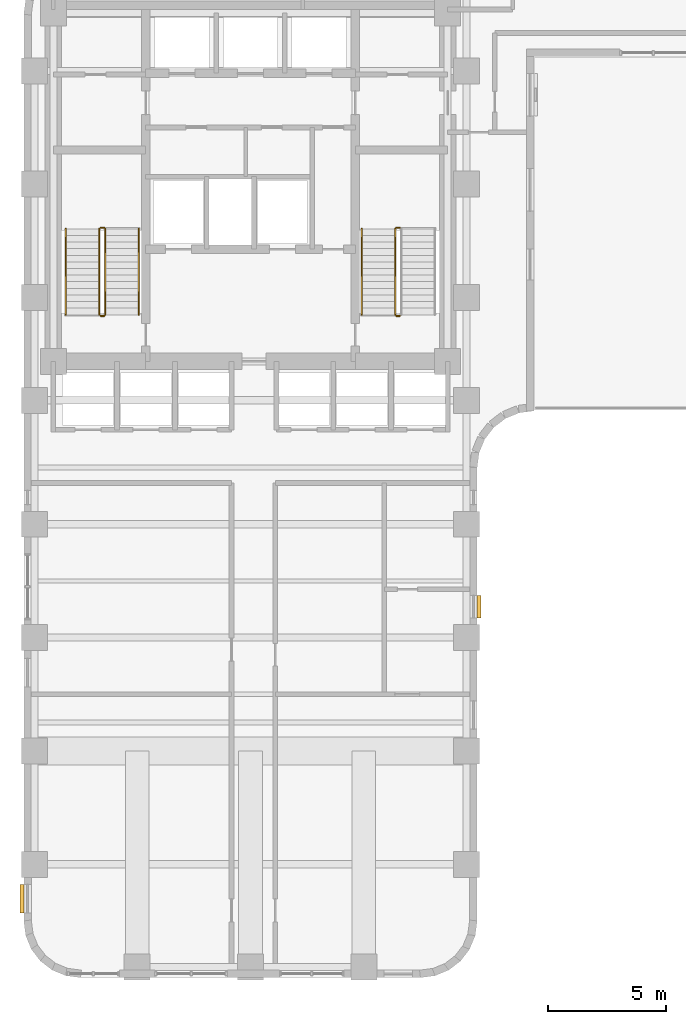
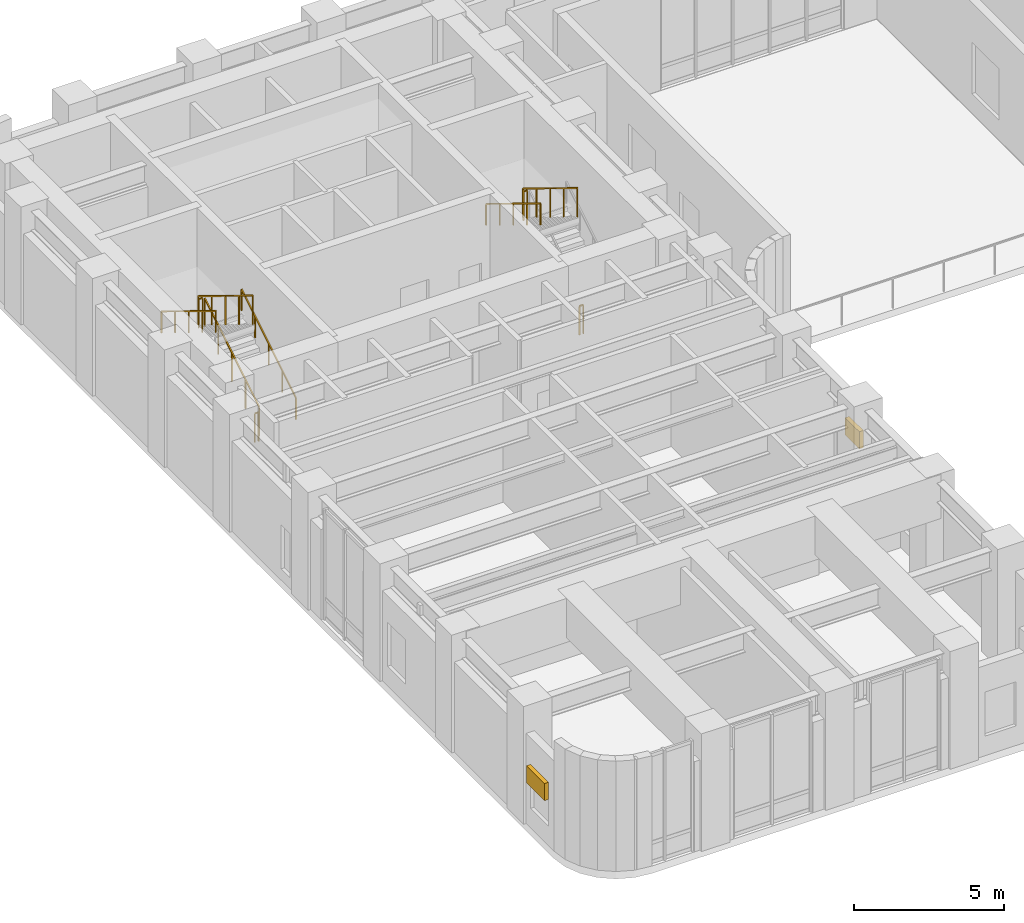
# One storey, part 10 of 12: 10 railings, 2 shading devices.
"""IFC4 building model written with IfcOpenShell, lengths in metres."""

import ifcopenshell
import ifcopenshell.guid

model = None  # the IFC model being written
_history = None  # IfcOwnerHistory: only IFC2X3 demands one
_inside = {}  # id of a spatial element -> (the spatial element, [elements in it])
_under = {}  # id of a project, library or spatial element -> (it, [spatial elements below it])
_declared = {}  # id of a project -> (the project, [libraries it declares])
_typed = {}  # id of a type object -> (the type object, [elements of that type])
_made_of = {}  # id of a material, layer set ... -> (it, [elements and type objects made of it])


def new_model(schema):
    """Start an empty IFC model of exactly this schema.

    Asked for "IFC4X3", IfcOpenShell would pick the latest addendum, in which some entities
    have other attributes; the version numbers below select the first issue.
    IFC2X3 requires an IfcOwnerHistory on every rooted entity: one is made here for all.
    """
    global model, _history
    if schema == "IFC4X3":
        model = ifcopenshell.file(schema_version=(4, 3, 0, 0))
    else:
        model = ifcopenshell.file(schema=schema)
    _inside.clear()
    _under.clear()
    _declared.clear()
    _typed.clear()
    _made_of.clear()
    _history = None
    if model.schema == "IFC2X3":
        org = make("IfcOrganization", Name="unknown")
        user = make(
            "IfcPersonAndOrganization",
            ThePerson=make("IfcPerson", FamilyName="unknown"),
            TheOrganization=org,
        )
        app = make(
            "IfcApplication",
            ApplicationDeveloper=org,
            Version="unknown",
            ApplicationFullName="unknown",
            ApplicationIdentifier="unknown",
        )
        _history = make(
            "IfcOwnerHistory",
            OwningUser=user,
            OwningApplication=app,
            ChangeAction="ADDED",
            CreationDate=0,
        )
    return model


def make(cls, **values):
    """One entity of the class cls with the attributes given. An attribute that is None is left unset."""
    return model.create_entity(
        cls, **{name: value for name, value in values.items() if value is not None}
    )


def rooted(cls, **values):
    """An entity with a GlobalId (a new one), such as an element, a storey or a relation."""
    return make(cls, GlobalId=ifcopenshell.guid.new(), OwnerHistory=_history, **values)


def si_unit(unit_type, name, prefix=None):
    """IfcSIUnit, for example si_unit("LENGTHUNIT", "METRE", prefix="MILLI")."""
    return make("IfcSIUnit", UnitType=unit_type, Prefix=prefix, Name=name)


def assignment(units):
    """IfcUnitAssignment: the units of a project."""
    return None if units is None else make("IfcUnitAssignment", Units=units)


def point(xyz):
    """IfcCartesianPoint."""
    return None if xyz is None else make("IfcCartesianPoint", Coordinates=xyz)


def direction(xyz):
    """IfcDirection."""
    return None if xyz is None else make("IfcDirection", DirectionRatios=xyz)


def frame(location, z_axis=None, x_axis=None):
    """IfcAxis2Placement3D, a coordinate frame: its origin and axes. An axis left out is left unset."""
    return make(
        "IfcAxis2Placement3D",
        Location=point(location),
        Axis=direction(z_axis),
        RefDirection=direction(x_axis),
    )


def frame_2d(location, x_axis=None):
    """IfcAxis2Placement2D, a coordinate frame in the plane: its origin and x axis."""
    return make(
        "IfcAxis2Placement2D", Location=point(location), RefDirection=direction(x_axis)
    )


def origin():
    """The frame at (0, 0, 0) with its axes left unset."""
    return frame((0.0, 0.0, 0.0))


def origin_2d():
    """The frame at (0, 0) in the plane with its x axis left unset."""
    return frame_2d((0.0, 0.0))


def place(relative_to, where):
    """IfcLocalPlacement: puts the frame where relative to a parent placement (None: the world)."""
    return make(
        "IfcLocalPlacement", PlacementRelTo=relative_to, RelativePlacement=where
    )


def context(
    kind, dimensions, precision=None, world=None, true_north=None, identifier=None
):
    """IfcGeometricRepresentationContext, for example the 3D "Model" context."""
    return make(
        "IfcGeometricRepresentationContext",
        ContextIdentifier=identifier,
        ContextType=kind,
        CoordinateSpaceDimension=dimensions,
        Precision=precision,
        WorldCoordinateSystem=world,
        TrueNorth=true_north,
    )


def subcontext(parent, identifier, kind, view, scale=None):
    """IfcGeometricRepresentationSubContext, for example "Body" below "Model"."""
    return make(
        "IfcGeometricRepresentationSubContext",
        ContextIdentifier=identifier,
        ContextType=kind,
        ParentContext=parent,
        TargetScale=scale,
        TargetView=view,
    )


def project(units=None, contexts=None):
    """IfcProject with its units and contexts."""
    return rooted(
        "IfcProject",
        Name="project",
        RepresentationContexts=contexts,
        UnitsInContext=assignment(units),
    )


def spatial(cls, under=None, at=None, **own):
    """A site, building, storey or space (cls), placed at a placement, below another one or the project."""
    s = rooted(cls, ObjectPlacement=at, **own)
    if under is not None:
        _under.setdefault(under.id(), (under, []))[1].append(s)
    return s


def profile(cls, at=None, kind="AREA", **sizes):
    """A parametric profile (cls). Its sizes go by their IFC names, for example OverallWidth=200.0."""
    return make(cls, ProfileType=kind, Position=at, **sizes)


def rectangle(**sizes):
    """IfcRectangleProfileDef."""
    return profile("IfcRectangleProfileDef", **sizes)


def extrude(swept, where, along, depth):
    """IfcExtrudedAreaSolid: the profile swept, set in the frame where, extruded along a direction by depth."""
    return make(
        "IfcExtrudedAreaSolid",
        SweptArea=swept,
        Position=where,
        ExtrudedDirection=direction(along),
        Depth=depth,
    )


def shape(context_of_items, identifier, shape_type, items):
    """IfcShapeRepresentation: the items that make up one representation, for example the "Body"."""
    return make(
        "IfcShapeRepresentation",
        ContextOfItems=context_of_items,
        RepresentationIdentifier=identifier,
        RepresentationType=shape_type,
        Items=items,
    )


def material(Name=None, Category=None):
    """IfcMaterial."""
    return make("IfcMaterial", Name=Name, Category=Category)


def made_of(thing, what):
    """Note that an element or type object is made of a material, layer set ...; save() writes the relation."""
    if what is not None:
        _made_of.setdefault(what.id(), (what, []))[1].append(thing)
    return thing


def type_object(cls, material=None, **own):
    """A type object (cls), such as IfcWallType, which elements share."""
    return made_of(rooted(cls, **own), material)


def element(
    cls,
    number,
    at=None,
    inside=None,
    cuts=None,
    type_object=None,
    material=None,
    context=None,
    identifier="Body",
    shape_type=None,
    held_by="IfcProductDefinitionShape",
    body=None,
    shapes=None,
    **own,
):
    """One element of the class cls, such as IfcWall. Its Tag is "e" and its number.

    at: its placement. inside: the storey or other place that contains it. cuts: it is an
    opening in that element (IfcRelVoidsElement). A single representation is given by context,
    identifier, shape_type and body (its items); several are given by shapes. held_by: the class
    of the entity that holds the representations. save() writes the other relations.
    """
    e = rooted(cls, Tag="e%d" % number, ObjectPlacement=at, **own)
    if body is not None:
        shapes = [shape(context, identifier, shape_type, body)]
    if shapes is not None:
        e.Representation = make(held_by, Representations=shapes)
    if inside is not None:
        _inside.setdefault(inside.id(), (inside, []))[1].append(e)
    if cuts is not None:
        rooted(
            "IfcRelVoidsElement", RelatingBuildingElement=cuts, RelatedOpeningElement=e
        )
    if type_object is not None:
        _typed.setdefault(type_object.id(), (type_object, []))[1].append(e)
    return made_of(e, material)


def aggregate(whole, parts):
    """IfcRelAggregates: a whole, such as a stair, and the parts it consists of."""
    return rooted("IfcRelAggregates", RelatingObject=whole, RelatedObjects=parts)


def save(model, path):
    """Write the relations noted so far, then the file.

    IfcRelAggregates (storeys below a building ...), IfcRelContainedInSpatialStructure (elements
    in a storey), IfcRelDefinesByType, IfcRelAssociatesMaterial and IfcRelDeclares: one each for
    every whole, place, type object, material and project.
    """
    for whole, parts in _under.values():
        aggregate(whole, parts)
    for where, things in _inside.values():
        rooted(
            "IfcRelContainedInSpatialStructure",
            RelatedElements=things,
            RelatingStructure=where,
        )
    for kind, things in _typed.values():
        rooted("IfcRelDefinesByType", RelatedObjects=things, RelatingType=kind)
    for what, things in _made_of.values():
        rooted("IfcRelAssociatesMaterial", RelatedObjects=things, RelatingMaterial=what)
    for by, libraries in _declared.values():
        rooted("IfcRelDeclares", RelatingContext=by, RelatedDefinitions=libraries)
    model.write(path)


model = new_model("IFC4")

# Units and contexts
model_context = context("Model", 3, precision=1e-05, world=origin(), true_north=direction((0.0, 1.0)))
body_context = subcontext(model_context, "Body", "Model", "MODEL_VIEW")
ifc_project = project(units=[si_unit("LENGTHUNIT", "METRE"), si_unit("AREAUNIT", "SQUARE_METRE"), si_unit("VOLUMEUNIT", "CUBIC_METRE"), si_unit("PLANEANGLEUNIT", "RADIAN"), si_unit("MASSUNIT", "GRAM", prefix="KILO")], contexts=[model_context])

# Site, building, storey
site_placement = place(None, origin())
site = spatial("IfcSite", under=ifc_project, at=site_placement, CompositionType="ELEMENT")
building_placement = place(site_placement, origin())
building = spatial("IfcBuilding", under=site, at=building_placement, Name="Orvandelia Arch Residences", CompositionType="ELEMENT")
storey_placement = place(building_placement, frame((0.0, 0.0, 97.0)))
storey = spatial("IfcBuildingStorey", under=building, at=storey_placement, Name="L25", CompositionType="ELEMENT", Elevation=97.0)

# Railings
ifc_material_1 = material(Name="Brushed Stainless Steel 304", Category="steel")
railing_type_1 = type_object("IfcRailingType", Name="RL-STAIR-GD1120", PredefinedType="GUARDRAIL", material=ifc_material_1)
railing_1_placement = place(storey_placement, frame((8.25, 32.8701171875, 0.17138671875)))
element("IfcRailing", 1, at=railing_1_placement, inside=storey, type_object=railing_type_1, Name="L25 ST-1 stair guard 1", PredefinedType="GUARDRAIL", context=body_context, shape_type="SweptSolid", body=[
    extrude(rectangle(XDim=0.048095703125, YDim=0.048095703125, at=origin_2d()), frame((0.0, 0.0, 1.17578125), z_axis=(0.0, 0.852850264322, 0.5221555579), x_axis=(-1.0, 0.0, 0.0)), (0.0, 0.0, 1.0), 4.267822265625),
    extrude(rectangle(XDim=0.0419921875, YDim=0.0419921875, at=origin_2d()), origin(), (0.0, 0.0, 1.0), 1.15185546875),
    extrude(rectangle(XDim=0.0419921875, YDim=0.0419921875, at=origin_2d()), frame((0.0, 0.909912109375, 0.55712890625)), (0.0, 0.0, 1.0), 1.15185546875),
    extrude(rectangle(XDim=0.0419921875, YDim=0.0419921875, at=origin_2d()), frame((0.0, 1.81982421875, 1.1142578125)), (0.0, 0.0, 1.0), 1.15185546875),
    extrude(rectangle(XDim=0.0419921875, YDim=0.0419921875, at=origin_2d()), frame((0.0, 2.72998046875, 1.67138671875)), (0.0, 0.0, 1.0), 1.15185546875),
    extrude(rectangle(XDim=0.0419921875, YDim=0.0419921875, at=origin_2d()), frame((0.0, 3.639892578125, 2.228515625)), (0.0, 0.0, 1.0), 1.15185546875),
])
railing_2_placement = place(storey_placement, frame((8.199951171875, 36.56005859375, 2.39990234375)))
element("IfcRailing", 2, at=railing_2_placement, inside=storey, type_object=railing_type_1, Name="L25 ST-1 stair guard 2", PredefinedType="GUARDRAIL", context=body_context, shape_type="SweptSolid", body=[
    extrude(rectangle(XDim=0.048095703125, YDim=0.048095703125, at=origin_2d()), frame((0.0, 0.0, 1.17578125), z_axis=(-1.0, 0.0, 0.0), x_axis=(0.0, -1.0, 0.0)), (0.0, 0.0, 1.0), 0.14990234375),
    extrude(rectangle(XDim=0.0419921875, YDim=0.0419921875, at=origin_2d()), origin(), (0.0, 0.0, 1.0), 1.15185546875),
    extrude(rectangle(XDim=0.0419921875, YDim=0.0419921875, at=origin_2d()), frame((-0.14990234375, 0.0, 0.0)), (0.0, 0.0, 1.0), 1.15185546875),
])
railing_3_placement = place(storey_placement, frame((8.0, 36.510009765625, 2.571533203125)))
element("IfcRailing", 3, at=railing_3_placement, inside=storey, type_object=railing_type_1, Name="L25 ST-1 stair guard 3", PredefinedType="GUARDRAIL", context=body_context, shape_type="SweptSolid", body=[
    extrude(rectangle(XDim=0.048095703125, YDim=0.048095703125, at=origin_2d()), frame((0.0, 0.0, 1.17578125), z_axis=(0.0, -0.852850264322, 0.5221555579), x_axis=(1.0, 0.0, 0.0)), (0.0, 0.0, 1.0), 4.267822265625),
    extrude(rectangle(XDim=0.0419921875, YDim=0.0419921875, at=origin_2d()), origin(), (0.0, 0.0, 1.0), 1.15185546875),
    extrude(rectangle(XDim=0.0419921875, YDim=0.0419921875, at=origin_2d()), frame((0.0, -0.909912109375, 0.55712890625)), (0.0, 0.0, 1.0), 1.15185546875),
    extrude(rectangle(XDim=0.0419921875, YDim=0.0419921875, at=origin_2d()), frame((0.0, -1.81982421875, 1.1142578125)), (0.0, 0.0, 1.0), 1.15185546875),
    extrude(rectangle(XDim=0.0419921875, YDim=0.0419921875, at=origin_2d()), frame((0.0, -2.72998046875, 1.67138671875)), (0.0, 0.0, 1.0), 1.15185546875),
    extrude(rectangle(XDim=0.0419921875, YDim=0.0419921875, at=origin_2d()), frame((0.0, -3.639892578125, 2.228515625)), (0.0, 0.0, 1.0), 1.15185546875),
])
for number, where, name in (
    (4, (8.199951171875, 32.820068359375, 0.0), "L25 ST-1 stair guard 4"),
    (5, (20.72998046875, 36.56005859375, 2.39990234375), "L25 ST-2 stair guard 2"),
):
    element("IfcRailing", number, at=place(storey_placement, frame(where)), inside=storey, type_object=railing_type_1, Name=name, PredefinedType="GUARDRAIL", context=body_context, shape_type="SweptSolid", body=[
        extrude(rectangle(XDim=0.048095703125, YDim=0.048095703125, at=origin_2d()), frame((0.0, 0.0, 1.17578125), z_axis=(-1.0, 0.0, 0.0), x_axis=(0.0, -1.0, 0.0)), (0.0, 0.0, 1.0), 0.14990234375),
        extrude(rectangle(XDim=0.0419921875, YDim=0.0419921875, at=origin_2d()), origin(), (0.0, 0.0, 1.0), 1.15185546875),
        extrude(rectangle(XDim=0.0419921875, YDim=0.0419921875, at=origin_2d()), frame((-0.14990234375, 0.0, 0.0)), (0.0, 0.0, 1.0), 1.15185546875),
    ])
railing_4_placement = place(storey_placement, frame((20.530029296875, 36.510009765625, 2.571533203125)))
element("IfcRailing", 6, at=railing_4_placement, inside=storey, type_object=railing_type_1, Name="L25 ST-2 stair guard 3", PredefinedType="GUARDRAIL", context=body_context, shape_type="SweptSolid", body=[
    extrude(rectangle(XDim=0.048095703125, YDim=0.048095703125, at=origin_2d()), frame((0.0, 0.0, 1.17578125), z_axis=(0.0, -0.852850264322, 0.5221555579), x_axis=(1.0, 0.0, 0.0)), (0.0, 0.0, 1.0), 4.267822265625),
    extrude(rectangle(XDim=0.0419921875, YDim=0.0419921875, at=origin_2d()), origin(), (0.0, 0.0, 1.0), 1.15185546875),
    extrude(rectangle(XDim=0.0419921875, YDim=0.0419921875, at=origin_2d()), frame((0.0, -0.909912109375, 0.55712890625)), (0.0, 0.0, 1.0), 1.15185546875),
    extrude(rectangle(XDim=0.0419921875, YDim=0.0419921875, at=origin_2d()), frame((0.0, -1.81982421875, 1.1142578125)), (0.0, 0.0, 1.0), 1.15185546875),
    extrude(rectangle(XDim=0.0419921875, YDim=0.0419921875, at=origin_2d()), frame((0.0, -2.72998046875, 1.67138671875)), (0.0, 0.0, 1.0), 1.15185546875),
    extrude(rectangle(XDim=0.0419921875, YDim=0.0419921875, at=origin_2d()), frame((0.0, -3.639892578125, 2.228515625)), (0.0, 0.0, 1.0), 1.15185546875),
])
railing_5_placement = place(storey_placement, frame((20.72998046875, 32.820068359375, 0.0)))
element("IfcRailing", 7, at=railing_5_placement, inside=storey, type_object=railing_type_1, Name="L25 ST-2 stair guard 4", PredefinedType="GUARDRAIL", context=body_context, shape_type="SweptSolid", body=[
    extrude(rectangle(XDim=0.048095703125, YDim=0.048095703125, at=origin_2d()), frame((0.0, 0.0, 1.17578125), z_axis=(-1.0, 0.0, 0.0), x_axis=(0.0, -1.0, 0.0)), (0.0, 0.0, 1.0), 0.14990234375),
    extrude(rectangle(XDim=0.0419921875, YDim=0.0419921875, at=origin_2d()), origin(), (0.0, 0.0, 1.0), 1.15185546875),
    extrude(rectangle(XDim=0.0419921875, YDim=0.0419921875, at=origin_2d()), frame((-0.14990234375, 0.0, 0.0)), (0.0, 0.0, 1.0), 1.15185546875),
])
railing_type_2 = type_object("IfcRailingType", Name="RL-STAIR-HR920", PredefinedType="HANDRAIL", material=ifc_material_1)
railing_6_placement = place(storey_placement, frame((9.669921875, 32.8701171875, 0.3427734375)))
element("IfcRailing", 8, at=railing_6_placement, inside=storey, type_object=railing_type_2, Name="L25 ST-1 stair handrail 1", PredefinedType="HANDRAIL", context=body_context, shape_type="SweptSolid", body=[
    extrude(rectangle(XDim=0.048095703125, YDim=0.048095703125, at=origin_2d()), frame((0.0, 0.0, 0.8759765625), z_axis=(0.0, 0.852824790078, 0.522197163366), x_axis=(-1.0, 0.0, 0.0)), (0.0, 0.0, 1.0), 4.26806640625),
    extrude(rectangle(XDim=0.0419921875, YDim=0.0419921875, at=origin_2d()), origin(), (0.0, 0.0, 1.0), 0.851806640625),
    extrude(rectangle(XDim=0.0419921875, YDim=0.0419921875, at=origin_2d()), frame((0.0, 0.909912109375, 0.55712890625)), (0.0, 0.0, 1.0), 0.851806640625),
    extrude(rectangle(XDim=0.0419921875, YDim=0.0419921875, at=origin_2d()), frame((0.0, 1.81982421875, 1.1142578125)), (0.0, 0.0, 1.0), 0.851806640625),
    extrude(rectangle(XDim=0.0419921875, YDim=0.0419921875, at=origin_2d()), frame((0.0, 2.72998046875, 1.671630859375)), (0.0, 0.0, 1.0), 0.851806640625),
    extrude(rectangle(XDim=0.0419921875, YDim=0.0419921875, at=origin_2d()), frame((0.0, 3.639892578125, 2.228759765625)), (0.0, 0.0, 1.0), 0.851806640625),
])
for number, where, name in (
    (9, (6.580078125, 36.510009765625, 2.742919921875), "L25 ST-1 stair handrail 2"),
    (10, (19.110107421875, 36.510009765625, 2.742919921875), "L25 ST-2 stair handrail 2"),
):
    element("IfcRailing", number, at=place(storey_placement, frame(where)), inside=storey, type_object=railing_type_2, Name=name, PredefinedType="HANDRAIL", context=body_context, shape_type="SweptSolid", body=[
        extrude(rectangle(XDim=0.048095703125, YDim=0.048095703125, at=origin_2d()), frame((0.0, 0.0, 0.8759765625), z_axis=(0.0, -0.852850264322, 0.5221555579), x_axis=(1.0, 0.0, 0.0)), (0.0, 0.0, 1.0), 4.267822265625),
        extrude(rectangle(XDim=0.0419921875, YDim=0.0419921875, at=origin_2d()), origin(), (0.0, 0.0, 1.0), 0.851806640625),
        extrude(rectangle(XDim=0.0419921875, YDim=0.0419921875, at=origin_2d()), frame((0.0, -0.909912109375, 0.55712890625)), (0.0, 0.0, 1.0), 0.851806640625),
        extrude(rectangle(XDim=0.0419921875, YDim=0.0419921875, at=origin_2d()), frame((0.0, -1.81982421875, 1.1142578125)), (0.0, 0.0, 1.0), 0.851806640625),
        extrude(rectangle(XDim=0.0419921875, YDim=0.0419921875, at=origin_2d()), frame((0.0, -2.72998046875, 1.67138671875)), (0.0, 0.0, 1.0), 0.851806640625),
        extrude(rectangle(XDim=0.0419921875, YDim=0.0419921875, at=origin_2d()), frame((0.0, -3.639892578125, 2.228515625)), (0.0, 0.0, 1.0), 0.851806640625),
    ])

# Shading devices
ifc_material_2 = material(Name="Anodised Champagne-Bronze Extruded Aluminium", Category="aluminium")
shading_device_type = type_object("IfcShadingDeviceType", Name="SHD-JALOUSIE-SCREEN", PredefinedType="JALOUSIE", material=ifc_material_2)
shading_device_1_placement = place(storey_placement, frame((24.080078125, 20.510009765625, 1.89990234375), z_axis=(0.0, 0.0, 1.0), x_axis=(0.0, -1.0, 0.0)))
element("IfcShadingDevice", 11, at=shading_device_1_placement, inside=storey, type_object=shading_device_type, Name="Bronze Jalousie Sun-Shade L25-004", PredefinedType="JALOUSIE", context=body_context, shape_type="SweptSolid", body=[
    extrude(rectangle(XDim=0.949951171875, YDim=0.159912109375, at=origin_2d()), origin(), (0.0, 0.0, 1.0), 0.699951171875),
])
shading_device_2_placement = place(storey_placement, frame((4.719970703125, 8.14501953125, 1.89990234375), z_axis=(0.0, 0.0, 1.0), x_axis=(0.0, 1.0, 0.0)))
element("IfcShadingDevice", 12, at=shading_device_2_placement, inside=storey, type_object=shading_device_type, Name="Bronze Jalousie Sun-Shade L25-005", PredefinedType="JALOUSIE", context=body_context, shape_type="SweptSolid", body=[
    extrude(rectangle(XDim=1.199951171875, YDim=0.159912109375, at=origin_2d()), origin(), (0.0, 0.0, 1.0), 0.699951171875),
])

save(model, "model.ifc")
